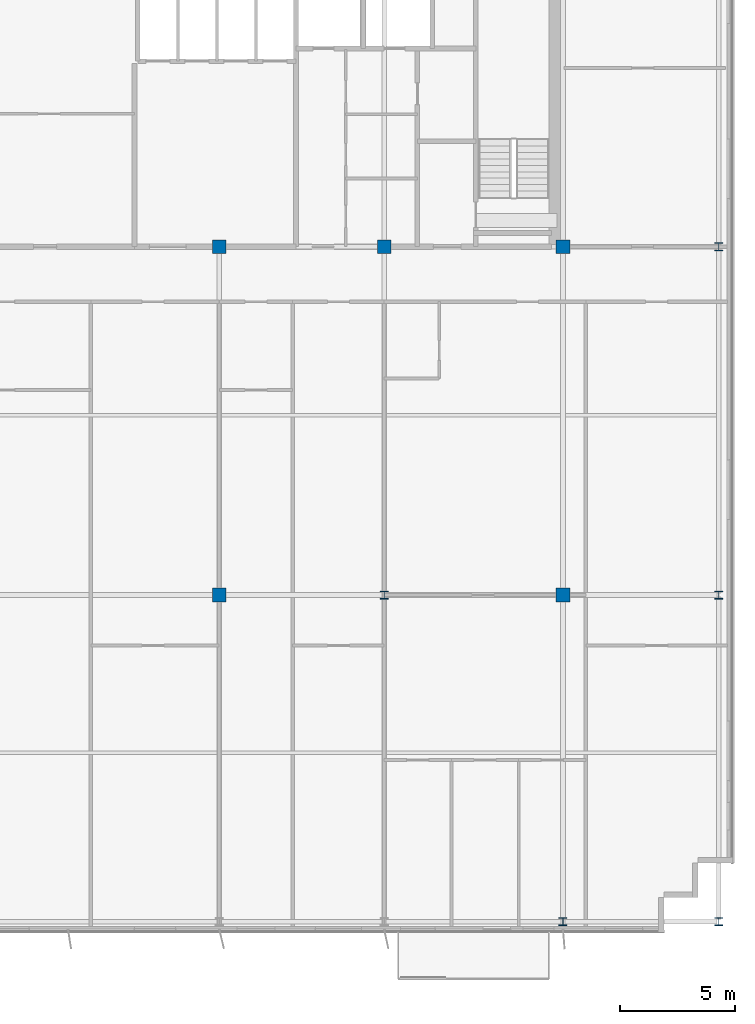
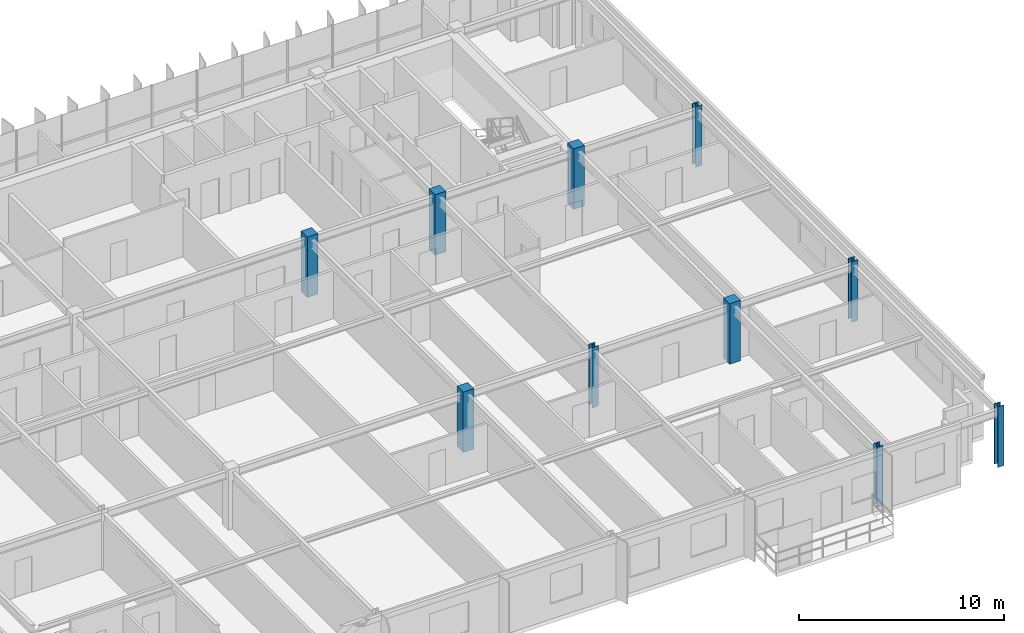
# One storey, part 2 of 22: 10 columns.
"""IFC4 building model written with IfcOpenShell, lengths in metres."""

from ifc_helpers import new_model, si_unit, direction, frame, origin, origin_2d, place, context, subcontext, project, spatial, rectangle, i_section, extrude, source, transform, mapped, material, material_profile, profile_set, type_object, element, save


model = new_model("IFC4")

# Units and contexts
model_context = context("Model", 3, precision=1e-05, world=origin(), true_north=direction((0.0, 1.0)))
body_context = subcontext(model_context, "Body", "Model", "MODEL_VIEW")
ifc_project = project(units=[si_unit("LENGTHUNIT", "METRE"), si_unit("AREAUNIT", "SQUARE_METRE"), si_unit("VOLUMEUNIT", "CUBIC_METRE"), si_unit("PLANEANGLEUNIT", "RADIAN"), si_unit("MASSUNIT", "GRAM", prefix="KILO")], contexts=[model_context])

# Site, building, storey
site_placement = place(None, origin())
site = spatial("IfcSite", under=ifc_project, at=site_placement, CompositionType="ELEMENT")
building_placement = place(site_placement, origin())
building = spatial("IfcBuilding", under=site, at=building_placement, Name="Trelvane Seafront Commons", CompositionType="ELEMENT")
storey_placement = place(building_placement, frame((0.0, 0.0, 284.699951171875)))
storey = spatial("IfcBuildingStorey", under=building, at=storey_placement, Name="L74", CompositionType="ELEMENT", Elevation=284.699951171875)

# Columns
ifc_material_1 = material(Name="Steel SM355 (S355)", Category="steel")
ifc_material_profile_1 = material_profile(ifc_material_1, i_section(OverallWidth=0.35009765625, OverallDepth=0.35009765625, WebThickness=0.01806640625, FlangeThickness=0.028076171875, at=origin_2d()), Name="HD-350x350x18x28")
ifc_profile_set_1 = profile_set([ifc_material_profile_1], Name="Steel SM355 (S355)")
column_type_1 = type_object("IfcColumnType", Name="STR-COL-HD350", PredefinedType="COLUMN", material=ifc_profile_set_1)
shared_shape_1 = source(origin(), body_context, "Body", "SweptSolid", [
    extrude(i_section(OverallWidth=0.35009765625, OverallDepth=0.35009765625, WebThickness=0.01806640625, FlangeThickness=0.028076171875, at=origin_2d()), origin(), (0.0, 0.0, 1.0), 3.60009765625),
])
for number, where, z_axis, x_axis, name in (
    (1, (51.0, 18.199951171875, 0.0), (0.0, 0.0, 1.0), (1.0, 0.0, 0.0), "L74 Column TC-M51.0"),
    (2, (58.800048828125, 3.949951171875, 0.0), (0.0, 0.0, 1.0), (1.0, 0.0, 0.0), "L74 Column TC-S58.8"),
    (3, (65.60009765625, 3.949951171875, 0.0), (0.0, 0.0, 1.0), (1.0, 0.0, 0.0), "L74 Column TC-S65.6"),
    (4, (65.60009765625, 18.199951171875, 0.0), (0.0, 0.0, 1.0), (1.0, 0.0, 0.0), "L74 Column TC-M65.6"),
    (5, (65.60009765625, 33.39990234375, 0.0), (0.0, 0.0, 1.0), (1.0, 0.0, 0.0), "L74 Column TC-CS65.6"),
):
    element("IfcColumn", number, at=place(storey_placement, frame(where, z_axis=z_axis, x_axis=x_axis)), inside=storey, type_object=column_type_1, Name=name, PredefinedType="COLUMN", context=body_context, shape_type="MappedRepresentation", body=[
        mapped(shared_shape_1, transform((0.0, 0.0, 0.0), x_axis=(1.0, 0.0, 0.0), y_axis=(0.0, 1.0, 0.0), z_axis=(0.0, 0.0, 1.0), scale=1.0)),
    ])
ifc_material_2 = material(Name="Concrete C50/60", Category="concrete")
ifc_material_profile_2 = material_profile(ifc_material_2, rectangle(XDim=0.60009765625, YDim=0.60009765625, at=origin_2d()), Name="RC-600x600")
ifc_profile_set_2 = profile_set([ifc_material_profile_2], Name="Concrete C50/60")
column_type_2 = type_object("IfcColumnType", Name="STR-COL-RC600", PredefinedType="COLUMN", material=ifc_profile_set_2)
shared_shape_2 = source(origin(), body_context, "Body", "SweptSolid", [
    extrude(rectangle(XDim=0.60009765625, YDim=0.60009765625, at=origin_2d()), origin(), (0.0, 0.0, 1.0), 3.60009765625),
])
for number, where, z_axis, x_axis, name in (
    (6, (43.800048828125, 18.199951171875, 0.0), (0.0, 0.0, 1.0), (1.0, 0.0, 0.0), "L74 Column TC-M43.8"),
    (7, (43.800048828125, 33.39990234375, 0.0), (0.0, 0.0, 1.0), (1.0, 0.0, 0.0), "L74 Column TC-CS43.8"),
    (8, (51.0, 33.39990234375, 0.0), (0.0, 0.0, 1.0), (1.0, 0.0, 0.0), "L74 Column TC-CS51.0"),
    (9, (58.800048828125, 18.199951171875, 0.0), (0.0, 0.0, 1.0), (1.0, 0.0, 0.0), "L74 Column TC-M58.8"),
    (10, (58.800048828125, 33.39990234375, 0.0), (0.0, 0.0, 1.0), (1.0, 0.0, 0.0), "L74 Column TC-CS58.8"),
):
    element("IfcColumn", number, at=place(storey_placement, frame(where, z_axis=z_axis, x_axis=x_axis)), inside=storey, type_object=column_type_2, Name=name, PredefinedType="COLUMN", context=body_context, shape_type="MappedRepresentation", body=[
        mapped(shared_shape_2, transform((0.0, 0.0, 0.0), x_axis=(1.0, 0.0, 0.0), y_axis=(0.0, 1.0, 0.0), z_axis=(0.0, 0.0, 1.0), scale=1.0)),
    ])

save(model, "model.ifc")
